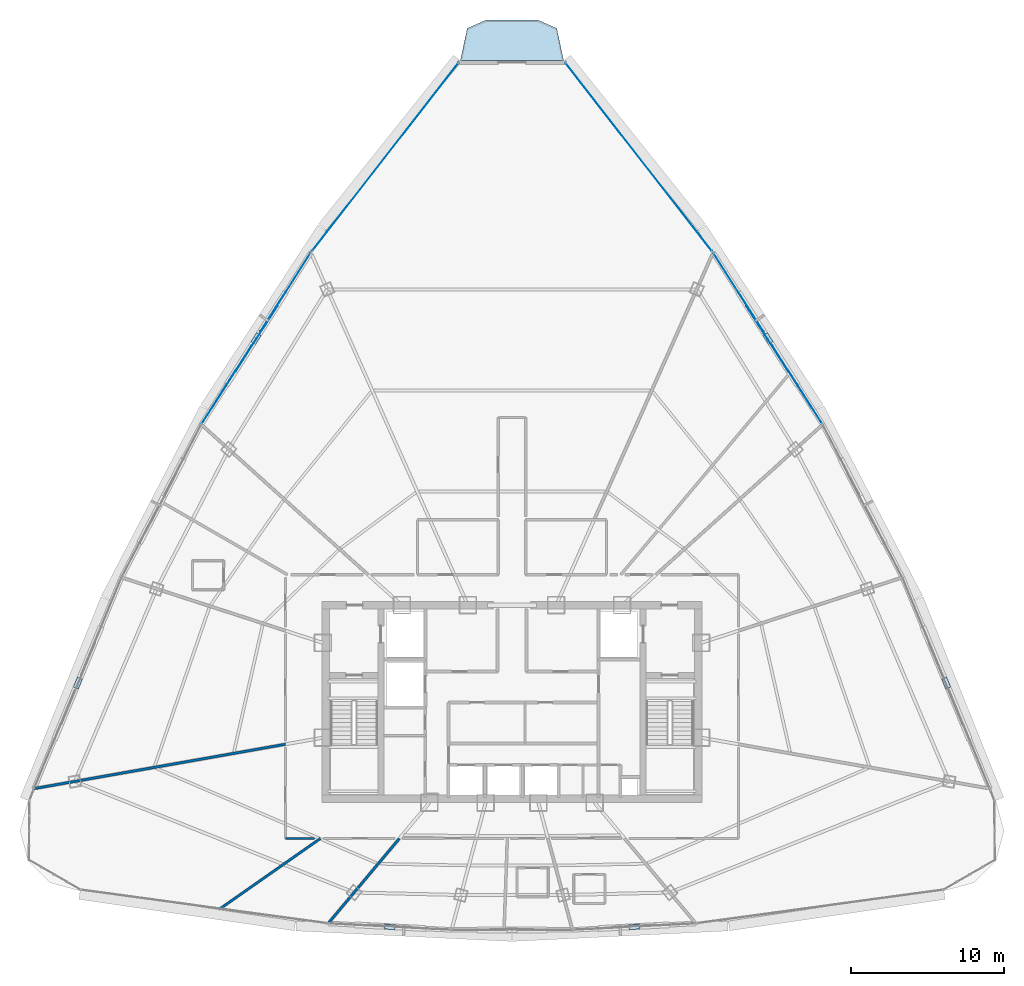
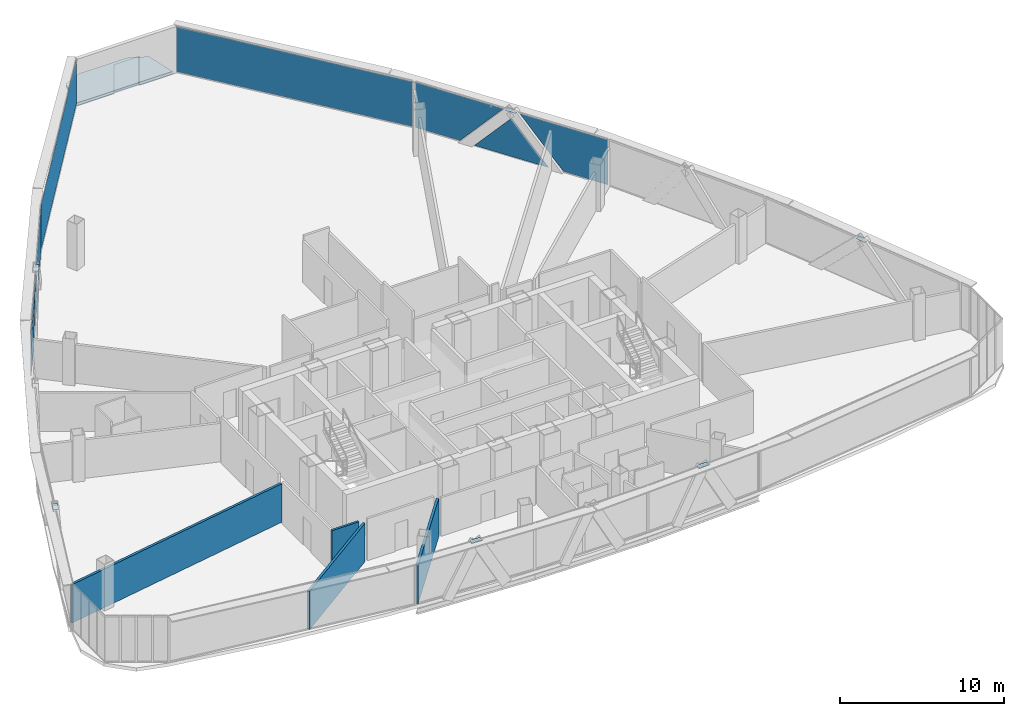
# One storey, part 33 of 40: 14 plates, 4 walls, 1 slab, 4 elements without a shape of their own.
"""IFC4 building model written with IfcOpenShell, lengths in metres."""

from ifc_helpers import new_model, si_unit, direction, frame, frame_2d, origin, origin_2d, place, context, subcontext, project, spatial, polyline, rectangle, outline, extrude, source, transform, mapped, material, layer, layer_set, type_object, element, aggregate, save


model = new_model("IFC4")

# Units and contexts
model_context = context("Model", 3, precision=1e-05, world=origin(), true_north=direction((0.0, 1.0)))
body_context = subcontext(model_context, "Body", "Model", "MODEL_VIEW")
ifc_project = project(units=[si_unit("LENGTHUNIT", "METRE"), si_unit("AREAUNIT", "SQUARE_METRE"), si_unit("VOLUMEUNIT", "CUBIC_METRE"), si_unit("PLANEANGLEUNIT", "RADIAN"), si_unit("MASSUNIT", "GRAM", prefix="KILO"), si_unit("THERMODYNAMICTEMPERATUREUNIT", "KELVIN"), si_unit("POWERUNIT", "WATT")], contexts=[model_context])

# Site, building, storey
site_placement = place(None, origin())
site = spatial("IfcSite", under=ifc_project, at=site_placement, CompositionType="ELEMENT")
building_placement = place(site_placement, origin())
building = spatial("IfcBuilding", under=site, at=building_placement, Name="Yunzhuo Pagoda Commons", CompositionType="ELEMENT")
storey_placement = place(building_placement, frame((0.0, 0.0, 292.47998046875)))
storey = spatial("IfcBuildingStorey", under=building, at=storey_placement, Name="L73", CompositionType="ELEMENT", Elevation=292.47998046875)

# Curtain wall, plates
ifc_material_1 = material(Name="Anodized aluminium 6063-T6", Category="aluminium")
ifc_layer_1 = layer(ifc_material_1, 0.139892578125)
ifc_layer_set_1 = layer_set([ifc_layer_1], Name="Anodized aluminium 6063-T6")
curtain_wall_type = type_object("IfcCurtainWallType", Name="CW-HI High-Zone Ribbon Curtain Wall", PredefinedType="NOTDEFINED", material=ifc_layer_set_1)
curtain_wall_1_placement = place(storey_placement, origin())
curtain_wall_1 = element("IfcCurtainWall", 1, at=curtain_wall_1_placement, inside=storey, type_object=curtain_wall_type, Name="L73 curtain wall CW-L73-F2B4", PredefinedType="NOTDEFINED")
ifc_material_2 = material(Name="Tempered low-e double glazing", Category="glass")
ifc_layer_2 = layer(ifc_material_2, 0.02587890625)
ifc_layer_set_2 = layer_set([ifc_layer_2], Name="Tempered low-e double glazing")
plate_type_1 = type_object("IfcPlateType", Name="CW-HI-P Low-E Double Glazing 26", PredefinedType="CURTAIN_PANEL", material=ifc_layer_set_2)
plate_1_placement = place(storey_placement, frame((66.698974609375, 54.64453125, 1.735107421875), z_axis=(0.84332965014, 0.537396595816, 0.0), x_axis=(-0.537396595816, 0.84332965014, 0.0)))
plate_1 = element("IfcPlate", 2, at=plate_1_placement, type_object=plate_type_1, Name="CW panel 1.1 lite 1", PredefinedType="CURTAIN_PANEL", context=body_context, shape_type="SweptSolid", body=[
    extrude(outline(polyline([(-3.032958984375, -1.679931640625), (0.021728515625, -1.679931640625), (3.032958984375, 1.679931640625), (-3.032958984375, 1.679931640625), (-3.032958984375, -1.679931640625)])), origin(), (0.0, 0.0, 1.0), 0.028076171875),
])
plate_2_placement = place(storey_placement, frame((64.7431640625, 57.657958984375, 1.477783203125), z_axis=(0.84332965014, 0.537396595816, 0.0), x_axis=(-0.537396595816, 0.84332965014, 0.0)))
plate_2 = element("IfcPlate", 3, at=plate_2_placement, type_object=plate_type_1, Name="CW panel 1.1 lite 2", PredefinedType="CURTAIN_PANEL", context=body_context, shape_type="SweptSolid", body=[
    extrude(outline(polyline([(-2.550048828125, -1.4228515625), (2.550048828125, -1.4228515625), (0.0, 1.4228515625), (-2.550048828125, -1.4228515625)])), origin(), (0.0, 0.0, 1.0), 0.028076171875),
])
plate_3_placement = place(storey_placement, frame((62.837890625, 60.70361328125, 1.735107421875), z_axis=(0.84332965014, 0.537396595816, 0.0), x_axis=(-0.537396595816, 0.84332965014, 0.0)))
plate_3 = element("IfcPlate", 4, at=plate_3_placement, type_object=plate_type_1, Name="CW panel 1.1 lite 3", PredefinedType="CURTAIN_PANEL", context=body_context, shape_type="SweptSolid", body=[
    extrude(outline(polyline([(-3.03271484375, 1.679931640625), (-0.021728515625, -1.679931640625), (3.032958984375, -1.679931640625), (3.032958984375, 1.679931640625), (-3.03271484375, 1.679931640625)])), origin(), (0.0, 0.0, 1.0), 0.028076171875),
])
aggregate(curtain_wall_1, [plate_1, plate_2, plate_3])

curtain_wall_2_placement = place(storey_placement, origin())
curtain_wall_2 = element("IfcCurtainWall", 5, at=curtain_wall_2_placement, inside=storey, type_object=curtain_wall_type, Name="L73 curtain wall CW-L73-F3B2", PredefinedType="NOTDEFINED")
plate_4_placement = place(storey_placement, frame((33.162109375, 60.70361328125, 1.735107421875), z_axis=(-0.84332965014, 0.537396595816, 0.0), x_axis=(-0.537396595816, -0.84332965014, 0.0)))
plate_4 = element("IfcPlate", 6, at=plate_4_placement, type_object=plate_type_1, Name="CW panel 1.1 lite 1", PredefinedType="CURTAIN_PANEL", context=body_context, shape_type="SweptSolid", body=[
    extrude(outline(polyline([(-3.032958984375, -1.679931640625), (0.021728515625, -1.679931640625), (3.03271484375, 1.679931640625), (-3.032958984375, 1.679931640625), (-3.032958984375, -1.679931640625)])), origin(), (0.0, 0.0, 1.0), 0.028076171875),
])
plate_5_placement = place(storey_placement, frame((31.2568359375, 57.657958984375, 1.477783203125), z_axis=(-0.84332965014, 0.537396595816, 0.0), x_axis=(-0.537396595816, -0.84332965014, 0.0)))
plate_5 = element("IfcPlate", 7, at=plate_5_placement, type_object=plate_type_1, Name="CW panel 1.1 lite 2", PredefinedType="CURTAIN_PANEL", context=body_context, shape_type="SweptSolid", body=[
    extrude(outline(polyline([(-2.550048828125, -1.4228515625), (2.550048828125, -1.4228515625), (0.0, 1.4228515625), (-2.550048828125, -1.4228515625)])), origin(), (0.0, 0.0, 1.0), 0.028076171875),
])
plate_6_placement = place(storey_placement, frame((29.301025390625, 54.64453125, 1.735107421875), z_axis=(-0.84332965014, 0.537396595816, 0.0), x_axis=(-0.537396595816, -0.84332965014, 0.0)))
plate_6 = element("IfcPlate", 8, at=plate_6_placement, type_object=plate_type_1, Name="CW panel 1.1 lite 3", PredefinedType="CURTAIN_PANEL", context=body_context, shape_type="SweptSolid", body=[
    extrude(outline(polyline([(-3.032958984375, 1.679931640625), (-0.021728515625, -1.679931640625), (3.032958984375, -1.679931640625), (3.032958984375, 1.679931640625), (-3.032958984375, 1.679931640625)])), origin(), (0.0, 0.0, 1.0), 0.028076171875),
])
aggregate(curtain_wall_2, [plate_4, plate_5, plate_6])

# Slab
ifc_material_3 = material(Name="Concrete C40", Category="concrete")
ifc_layer_3 = layer(ifc_material_3, 0.199951171875)
ifc_layer_set_3 = layer_set([ifc_layer_3], Name="Concrete C40")
slab_type = type_object("IfcSlabType", Name="SL-BAL Vertex Balcony Deck Slab 200", PredefinedType="FLOOR", material=ifc_layer_set_3)
slab_placement = place(storey_placement, frame((0.0, 0.0, -0.199951171875)))
element("IfcSlab", 9, at=slab_placement, inside=storey, type_object=slab_type, Name="L73 corner balcony V3", PredefinedType="FLOOR", context=body_context, shape_type="SweptSolid", body=[
    extrude(outline(polyline([(51.385009765625, 75.92529296875), (44.614990234375, 75.92529296875), (45.06494140625, 78.020263671875), (46.3076171875, 78.5703125), (49.6923828125, 78.5703125), (50.93505859375, 78.020263671875), (51.385009765625, 75.92529296875)])), origin(), (0.0, 0.0, 1.0), 0.199951171875),
])

# Plates
ifc_material_4 = material(Name="Structural steel Q355B", Category="steel")
ifc_layer_4 = layer(ifc_material_4, 0.028076171875)
ifc_layer_set_4 = layer_set([ifc_layer_4], Name="Structural steel Q355B")
plate_type_2 = type_object("IfcPlateType", Name="SP-ND1 Lattice Node Cap Plate 800x500x28", PredefinedType="USERDEFINED", material=ifc_layer_set_4)
shared_shape_1 = source(origin(), body_context, "Body", "SweptSolid", [
    extrude(rectangle(XDim=0.699951171875, YDim=0.35009765625, at=origin_2d()), origin(), (0.0, 0.0, 1.0), 0.035888671875),
])
for number, where, z_axis, x_axis, name in (
    (10, (39.9912109375, 19.1220703125, 3.43212890625), (0.0, 0.0, 1.0), (0.998636832498, -0.052196520746, 0.0), "L73 setback lattice tie plate F1.1L"),
    (11, (56.0087890625, 19.1220703125, 3.43212890625), (0.0, 0.0, 1.0), (0.998636832498, 0.052196520746, 0.0), "L73 setback lattice tie plate F1.3L"),
    (12, (76.46533203125, 35.096435546875, 3.43212890625), (0.0, 0.0, 1.0), (-0.382635057621, 0.923899568503, 0.0), "L73 setback lattice tie plate F2.1L"),
    (13, (64.780029296875, 57.681640625, 3.43212890625), (0.0, 0.0, 1.0), (-0.53740264404, 0.843325795988, 0.0), "L73 setback lattice tie plate F2.3L"),
    (14, (31.219970703125, 57.681640625, 3.43212890625), (0.0, 0.0, 1.0), (-0.53740264404, -0.843325795988, 0.0), "L73 setback lattice tie plate F3.1L"),
    (15, (19.53466796875, 35.096435546875, 3.43212890625), (0.0, 0.0, 1.0), (-0.382635057621, -0.923899568503, 0.0), "L73 setback lattice tie plate F3.3L"),
):
    element("IfcPlate", number, at=place(storey_placement, frame(where, z_axis=z_axis, x_axis=x_axis)), inside=storey, type_object=plate_type_2, Name=name, ObjectType="STIFFENER_PLATE", PredefinedType="USERDEFINED", context=body_context, shape_type="MappedRepresentation", body=[
        mapped(shared_shape_1, transform((0.0, 0.0, 0.0), scale=1.0)),
    ])

# Curtain wall, plate
curtain_wall_3_placement = place(storey_placement, origin())
curtain_wall_3 = element("IfcCurtainWall", 16, at=curtain_wall_3_placement, inside=storey, type_object=curtain_wall_type, Name="L73 curtain wall CW-L73-F2B5", PredefinedType="NOTDEFINED")
shared_shape_2 = source(origin(), body_context, "Body", "SweptSolid", [
    extrude(rectangle(XDim=15.6083984375, YDim=0.028076171875, at=origin_2d()), origin(), (0.0, 0.0, 1.0), 3.360107421875),
])
plate_7_placement = place(storey_placement, frame((56.310791015625, 69.58447265625, 0.05517578125), z_axis=(0.0, 0.0, 1.0), x_axis=(-0.614261000482, 0.789102923127, 0.0)))
plate_7 = element("IfcPlate", 17, at=plate_7_placement, type_object=plate_type_1, Name="CW panel 1.1", PredefinedType="CURTAIN_PANEL", context=body_context, shape_type="MappedRepresentation", body=[
    mapped(shared_shape_2, transform((0.0, 0.0, 0.0), scale=1.0)),
])
aggregate(curtain_wall_3, [plate_7])

curtain_wall_4_placement = place(storey_placement, origin())
curtain_wall_4 = element("IfcCurtainWall", 18, at=curtain_wall_4_placement, inside=storey, type_object=curtain_wall_type, Name="L73 curtain wall CW-L73-F3B1", PredefinedType="NOTDEFINED")
plate_8_placement = place(storey_placement, frame((39.689208984375, 69.58447265625, 0.05517578125), z_axis=(0.0, 0.0, 1.0), x_axis=(-0.614261000482, -0.789102923127, 0.0)))
plate_8 = element("IfcPlate", 19, at=plate_8_placement, type_object=plate_type_1, Name="CW panel 1.1", PredefinedType="CURTAIN_PANEL", context=body_context, shape_type="MappedRepresentation", body=[
    mapped(shared_shape_2, transform((0.0, 0.0, 0.0), scale=1.0)),
])
aggregate(curtain_wall_4, [plate_8])

# Walls
ifc_material_5 = material(Name="Gypsum plasterboard on acoustic stud")
ifc_layer_5 = layer(ifc_material_5, 0.14990234375)
ifc_layer_set_5 = layer_set([ifc_layer_5], Name="Gypsum plasterboard on acoustic stud")
wall_type_1 = type_object("IfcWallType", Name="W-COR3 High-Zone Rated Corridor Wall 150", PredefinedType="PARTITIONING", material=ifc_layer_set_5)
wall_1_placement = place(storey_placement, frame((35.048583984375, 24.89990234375, 0.0), z_axis=(0.0, 0.0, 1.0), x_axis=(-1.0, 0.0, 0.0)))
element("IfcWall", 20, at=wall_1_placement, inside=storey, type_object=wall_type_1, Name="L73 interior wall IW-L73-CWL20", PredefinedType="PARTITIONING", context=body_context, shape_type="SweptSolid", body=[
    extrude(rectangle(XDim=1.898681640625, YDim=0.14990234375, at=frame_2d((0.94921875, 0.0))), origin(), (0.0, 0.0, 1.0), 3.1201171875),
])
ifc_layer_6 = layer(ifc_material_5, 0.169921875)
ifc_layer_set_6 = layer_set([ifc_layer_6], Name="Gypsum plasterboard on acoustic stud")
wall_type_2 = type_object("IfcWallType", Name="W-PRT4 High-Zone Demising Wall 170", PredefinedType="PARTITIONING", material=ifc_layer_set_6)
wall_2_placement = place(storey_placement, frame((33.14990234375, 31.08154296875, 0.0), z_axis=(0.0, 0.0, 1.0), x_axis=(-0.984806900178, -0.173653014261, 0.0)))
element("IfcWall", 21, at=wall_2_placement, inside=storey, type_object=wall_type_2, Name="L73 interior wall IW-L73-RAD08", PredefinedType="PARTITIONING", context=body_context, shape_type="SweptSolid", body=[
    extrude(rectangle(XDim=16.73583984375, YDim=0.169921875, at=frame_2d((8.367919921875, 0.0))), origin(), (0.0, 0.0, 1.0), 2.8701171875),
])
wall_3_placement = place(storey_placement, frame((35.432373046875, 24.89990234375, 0.0), z_axis=(0.0, 0.0, 1.0), x_axis=(-0.819164697245, -0.573558365632, 0.0)))
element("IfcWall", 22, at=wall_3_placement, inside=storey, type_object=wall_type_2, Name="L73 interior wall IW-L73-RAD09", PredefinedType="PARTITIONING", context=body_context, shape_type="SweptSolid", body=[
    extrude(rectangle(XDim=8.019775390625, YDim=0.169921875, at=frame_2d((4.009765625, 0.0))), origin(), (0.0, 0.0, 1.0), 2.8701171875),
])
wall_4_placement = place(storey_placement, frame((40.615966796875, 24.89990234375, 0.0), z_axis=(0.0, 0.0, 1.0), x_axis=(-0.642798027821, -0.766035701146, 0.0)))
element("IfcWall", 23, at=wall_4_placement, inside=storey, type_object=wall_type_2, Name="L73 interior wall IW-L73-RAD10", PredefinedType="PARTITIONING", context=body_context, shape_type="SweptSolid", body=[
    extrude(rectangle(XDim=7.2666015625, YDim=0.169921875, at=frame_2d((3.63330078125, 0.0))), origin(), (0.0, 0.0, 1.0), 2.8701171875),
])

save(model, "model.ifc")
